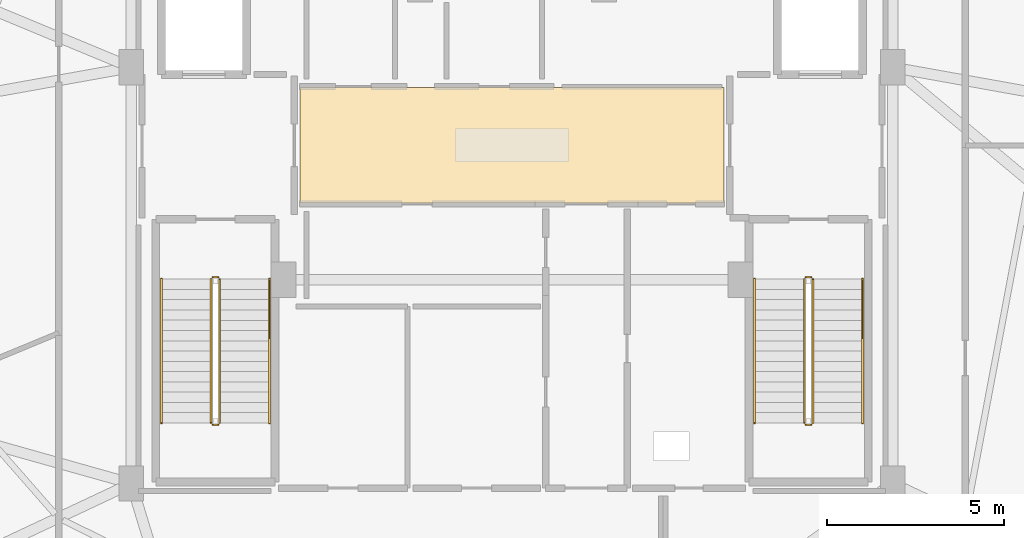
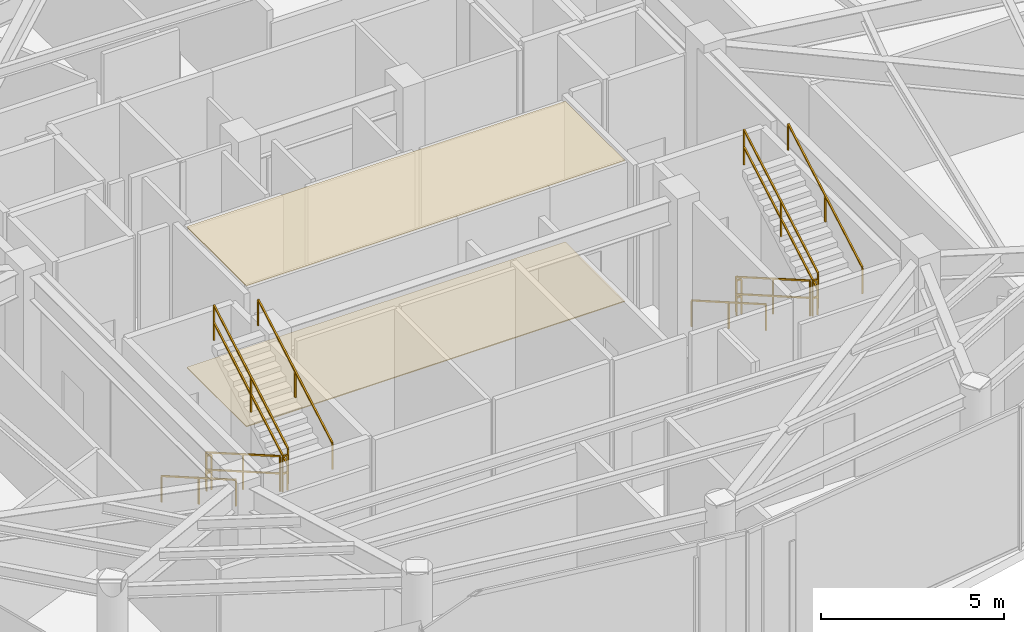
# One storey, part 23 of 24: 12 railings, 2 coverings.
"""IFC4 building model written with IfcOpenShell, lengths in metres."""

from ifc_helpers import new_model, si_unit, direction, frame, origin, origin_2d, place, context, subcontext, project, spatial, polyline, rectangle, outline, extrude, material, layer, layer_set, type_object, element, save


model = new_model("IFC4")

# Units and contexts
model_context = context("Model", 3, precision=1e-05, world=origin(), true_north=direction((0.0, 1.0)))
body_context = subcontext(model_context, "Body", "Model", "MODEL_VIEW")
ifc_project = project(units=[si_unit("LENGTHUNIT", "METRE"), si_unit("AREAUNIT", "SQUARE_METRE"), si_unit("VOLUMEUNIT", "CUBIC_METRE"), si_unit("PLANEANGLEUNIT", "RADIAN"), si_unit("MASSUNIT", "GRAM", prefix="KILO")], contexts=[model_context])

# Site, building, storey
site_placement = place(None, origin())
site = spatial("IfcSite", under=ifc_project, at=site_placement, CompositionType="ELEMENT")
building_placement = place(site_placement, origin())
building = spatial("IfcBuilding", under=site, at=building_placement, Name="Vorneva Point Tower", CompositionType="ELEMENT")
storey_placement = place(building_placement, frame((0.0, 0.0, 290.39990234375)))
storey = spatial("IfcBuildingStorey", under=building, at=storey_placement, Name="L78", CompositionType="ELEMENT", Elevation=290.39990234375)

# Coverings
ifc_material_1 = material(Name="Perforated acoustic aluminium baffle ceiling", Category="aluminium")
ifc_layer_1 = layer(ifc_material_1, 0.030029296875)
ifc_layer_set_1 = layer_set([ifc_layer_1], Name="Perforated acoustic aluminium baffle ceiling")
covering_type_1 = type_object("IfcCoveringType", Name="COV-CEIL-BAF", PredefinedType="CEILING", material=ifc_layer_set_1)
covering_1_placement = place(storey_placement, frame((0.0, 0.0, 4.690185546875)))
element("IfcCovering", 1, at=covering_1_placement, inside=storey, type_object=covering_type_1, Name="L78 Lift Lobby Acoustic Baffle Ceiling", PredefinedType="CEILING", context=body_context, shape_type="SweptSolid", body=[
    extrude(outline(polyline([(32.02001953125, 24.3701171875), (43.97998046875, 24.3701171875), (43.97998046875, 27.6298828125), (32.02001953125, 27.6298828125), (32.02001953125, 24.3701171875)])), origin(), (0.0, 0.0, 1.0), 0.034912109375),
])
ifc_material_2 = material(Name="Polished Ural granite terrazzo", Category="masonry")
ifc_layer_2 = layer(ifc_material_2, 0.02490234375)
ifc_layer_set_2 = layer_set([ifc_layer_2], Name="Polished Ural granite terrazzo")
covering_type_2 = type_object("IfcCoveringType", Name="COV-FLR-TRZ", PredefinedType="FLOORING", material=ifc_layer_set_2)
covering_2_placement = place(storey_placement, frame((0.0, 0.0, -0.0048828125)))
element("IfcCovering", 2, at=covering_2_placement, inside=storey, type_object=covering_type_2, Name="L78 Lift Lobby Floor Finish", PredefinedType="FLOORING", context=body_context, shape_type="SweptSolid", body=[
    extrude(outline(polyline([(32.02001953125, 24.3701171875), (43.97998046875, 24.3701171875), (43.97998046875, 27.6298828125), (32.02001953125, 27.6298828125), (32.02001953125, 24.3701171875)])), origin(), (0.0, 0.0, 1.0), 0.030029296875),
])

# Railings
ifc_material_3 = material(Name="Brushed stainless steel S304", Category="steel")
railing_type_1 = type_object("IfcRailingType", Name="RL-HND-920", PredefinedType="HANDRAIL", material=ifc_material_3)
railing_1_placement = place(storey_placement, frame((28.10009765625, 22.219970703125, 0.166748046875)))
element("IfcRailing", 3, at=railing_1_placement, inside=storey, type_object=railing_type_1, Name="L78 ST1 stair handrail 1", PredefinedType="HANDRAIL", context=body_context, shape_type="SweptSolid", body=[
    extrude(rectangle(XDim=0.048095703125, YDim=0.048095703125, at=origin_2d()), frame((0.0, 0.0, 0.8759765625), z_axis=(0.0, -0.867024558463, 0.498265406207), x_axis=(1.0, 0.0, 0.0)), (0.0, 0.0, 1.0), 4.682861328125),
    extrude(rectangle(XDim=0.0419921875, YDim=0.0419921875, at=origin_2d()), origin(), (0.0, 0.0, 1.0), 0.851806640625),
    extrude(rectangle(XDim=0.0419921875, YDim=0.0419921875, at=origin_2d()), frame((0.0, -2.030029296875, 1.16650390625)), (0.0, 0.0, 1.0), 0.851806640625),
    extrude(rectangle(XDim=0.0419921875, YDim=0.0419921875, at=origin_2d()), frame((0.0, -4.06005859375, 2.333251953125)), (0.0, 0.0, 1.0), 0.851806640625),
])
railing_2_placement = place(storey_placement, frame((31.14990234375, 18.159912109375, 2.666748046875)))
element("IfcRailing", 4, at=railing_2_placement, inside=storey, type_object=railing_type_1, Name="L78 ST1 stair handrail 2", PredefinedType="HANDRAIL", context=body_context, shape_type="SweptSolid", body=[
    extrude(rectangle(XDim=0.048095703125, YDim=0.048095703125, at=origin_2d()), frame((0.0, 0.0, 0.8759765625), z_axis=(0.0, 0.867024558463, 0.498265406207), x_axis=(-1.0, 0.0, 0.0)), (0.0, 0.0, 1.0), 4.682861328125),
    extrude(rectangle(XDim=0.0419921875, YDim=0.0419921875, at=origin_2d()), origin(), (0.0, 0.0, 1.0), 0.851806640625),
    extrude(rectangle(XDim=0.0419921875, YDim=0.0419921875, at=origin_2d()), frame((0.0, 2.030029296875, 1.16650390625)), (0.0, 0.0, 1.0), 0.851806640625),
    extrude(rectangle(XDim=0.0419921875, YDim=0.0419921875, at=origin_2d()), frame((0.0, 4.06005859375, 2.333251953125)), (0.0, 0.0, 1.0), 0.851806640625),
])
railing_3_placement = place(storey_placement, frame((44.85009765625, 22.219970703125, 0.166748046875)))
element("IfcRailing", 5, at=railing_3_placement, inside=storey, type_object=railing_type_1, Name="L78 ST2 stair handrail 1", PredefinedType="HANDRAIL", context=body_context, shape_type="SweptSolid", body=[
    extrude(rectangle(XDim=0.048095703125, YDim=0.048095703125, at=origin_2d()), frame((0.0, 0.0, 0.8759765625), z_axis=(0.0, -0.867024558463, 0.498265406207), x_axis=(1.0, 0.0, 0.0)), (0.0, 0.0, 1.0), 4.682861328125),
    extrude(rectangle(XDim=0.0419921875, YDim=0.0419921875, at=origin_2d()), origin(), (0.0, 0.0, 1.0), 0.851806640625),
    extrude(rectangle(XDim=0.0419921875, YDim=0.0419921875, at=origin_2d()), frame((0.0, -2.030029296875, 1.16650390625)), (0.0, 0.0, 1.0), 0.851806640625),
    extrude(rectangle(XDim=0.0419921875, YDim=0.0419921875, at=origin_2d()), frame((0.0, -4.06005859375, 2.333251953125)), (0.0, 0.0, 1.0), 0.851806640625),
])
railing_4_placement = place(storey_placement, frame((47.89990234375, 18.159912109375, 2.666748046875)))
element("IfcRailing", 6, at=railing_4_placement, inside=storey, type_object=railing_type_1, Name="L78 ST2 stair handrail 2", PredefinedType="HANDRAIL", context=body_context, shape_type="SweptSolid", body=[
    extrude(rectangle(XDim=0.048095703125, YDim=0.048095703125, at=origin_2d()), frame((0.0, 0.0, 0.8759765625), z_axis=(0.0, 0.867024558463, 0.498265406207), x_axis=(-1.0, 0.0, 0.0)), (0.0, 0.0, 1.0), 4.682861328125),
    extrude(rectangle(XDim=0.0419921875, YDim=0.0419921875, at=origin_2d()), origin(), (0.0, 0.0, 1.0), 0.851806640625),
    extrude(rectangle(XDim=0.0419921875, YDim=0.0419921875, at=origin_2d()), frame((0.0, 2.030029296875, 1.16650390625)), (0.0, 0.0, 1.0), 0.851806640625),
    extrude(rectangle(XDim=0.0419921875, YDim=0.0419921875, at=origin_2d()), frame((0.0, 4.06005859375, 2.333251953125)), (0.0, 0.0, 1.0), 0.851806640625),
])
railing_type_2 = type_object("IfcRailingType", Name="RL-STG-1100", PredefinedType="GUARDRAIL", material=ifc_material_3)
railing_5_placement = place(storey_placement, frame((29.5, 22.219970703125, 0.166748046875)))
element("IfcRailing", 7, at=railing_5_placement, inside=storey, type_object=railing_type_2, Name="L78 ST1 stair guard 1", PredefinedType="GUARDRAIL", context=body_context, shape_type="SweptSolid", body=[
    extrude(rectangle(XDim=0.048095703125, YDim=0.048095703125, at=origin_2d()), frame((0.0, 0.0, 1.17578125), z_axis=(0.0, -0.867024558463, 0.498265406207), x_axis=(1.0, 0.0, 0.0)), (0.0, 0.0, 1.0), 4.682861328125),
    extrude(rectangle(XDim=0.048095703125, YDim=0.048095703125, at=origin_2d()), frame((0.0, 0.0, 0.60009765625), z_axis=(0.0, -0.867024558463, 0.498265406207), x_axis=(1.0, 0.0, 0.0)), (0.0, 0.0, 1.0), 4.682861328125),
    extrude(rectangle(XDim=0.0419921875, YDim=0.0419921875, at=origin_2d()), origin(), (0.0, 0.0, 1.0), 1.15185546875),
    extrude(rectangle(XDim=0.0419921875, YDim=0.0419921875, at=origin_2d()), frame((0.0, -2.030029296875, 1.16650390625)), (0.0, 0.0, 1.0), 1.15185546875),
    extrude(rectangle(XDim=0.0419921875, YDim=0.0419921875, at=origin_2d()), frame((0.0, -4.06005859375, 2.333251953125)), (0.0, 0.0, 1.0), 1.15185546875),
])
railing_6_placement = place(storey_placement, frame((29.550048828125, 18.110107421875, 2.5)))
element("IfcRailing", 8, at=railing_6_placement, inside=storey, type_object=railing_type_2, Name="L78 ST1 stair guard 2", PredefinedType="GUARDRAIL", context=body_context, shape_type="SweptSolid", body=[
    extrude(rectangle(XDim=0.048095703125, YDim=0.048095703125, at=origin_2d()), frame((0.0, 0.0, 1.17578125), z_axis=(1.0, 0.0, 0.0), x_axis=(0.0, 1.0, 0.0)), (0.0, 0.0, 1.0), 0.14990234375),
    extrude(rectangle(XDim=0.048095703125, YDim=0.048095703125, at=origin_2d()), frame((0.0, 0.0, 0.60009765625), z_axis=(1.0, 0.0, 0.0), x_axis=(0.0, 1.0, 0.0)), (0.0, 0.0, 1.0), 0.14990234375),
    extrude(rectangle(XDim=0.0419921875, YDim=0.0419921875, at=origin_2d()), origin(), (0.0, 0.0, 1.0), 1.15185546875),
    extrude(rectangle(XDim=0.0419921875, YDim=0.0419921875, at=origin_2d()), frame((0.14990234375, 0.0, 0.0)), (0.0, 0.0, 1.0), 1.15185546875),
])
railing_7_placement = place(storey_placement, frame((29.75, 18.159912109375, 2.666748046875)))
element("IfcRailing", 9, at=railing_7_placement, inside=storey, type_object=railing_type_2, Name="L78 ST1 stair guard 3", PredefinedType="GUARDRAIL", context=body_context, shape_type="SweptSolid", body=[
    extrude(rectangle(XDim=0.048095703125, YDim=0.048095703125, at=origin_2d()), frame((0.0, 0.0, 1.17578125), z_axis=(0.0, 0.867024558463, 0.498265406207), x_axis=(-1.0, 0.0, 0.0)), (0.0, 0.0, 1.0), 4.682861328125),
    extrude(rectangle(XDim=0.048095703125, YDim=0.048095703125, at=origin_2d()), frame((0.0, 0.0, 0.60009765625), z_axis=(0.0, 0.867024558463, 0.498265406207), x_axis=(-1.0, 0.0, 0.0)), (0.0, 0.0, 1.0), 4.682861328125),
    extrude(rectangle(XDim=0.0419921875, YDim=0.0419921875, at=origin_2d()), origin(), (0.0, 0.0, 1.0), 1.15185546875),
    extrude(rectangle(XDim=0.0419921875, YDim=0.0419921875, at=origin_2d()), frame((0.0, 2.030029296875, 1.16650390625)), (0.0, 0.0, 1.0), 1.15185546875),
    extrude(rectangle(XDim=0.0419921875, YDim=0.0419921875, at=origin_2d()), frame((0.0, 4.06005859375, 2.333251953125)), (0.0, 0.0, 1.0), 1.15185546875),
])
railing_8_placement = place(storey_placement, frame((29.550048828125, 22.27001953125, 0.0)))
element("IfcRailing", 10, at=railing_8_placement, inside=storey, type_object=railing_type_2, Name="L78 ST1 stair guard 4", PredefinedType="GUARDRAIL", context=body_context, shape_type="SweptSolid", body=[
    extrude(rectangle(XDim=0.048095703125, YDim=0.048095703125, at=origin_2d()), frame((0.0, 0.0, 1.17578125), z_axis=(1.0, 0.0, 0.0), x_axis=(0.0, 1.0, 0.0)), (0.0, 0.0, 1.0), 0.14990234375),
    extrude(rectangle(XDim=0.048095703125, YDim=0.048095703125, at=origin_2d()), frame((0.0, 0.0, 0.60009765625), z_axis=(1.0, 0.0, 0.0), x_axis=(0.0, 1.0, 0.0)), (0.0, 0.0, 1.0), 0.14990234375),
    extrude(rectangle(XDim=0.0419921875, YDim=0.0419921875, at=origin_2d()), origin(), (0.0, 0.0, 1.0), 1.15185546875),
    extrude(rectangle(XDim=0.0419921875, YDim=0.0419921875, at=origin_2d()), frame((0.14990234375, 0.0, 0.0)), (0.0, 0.0, 1.0), 1.15185546875),
])
railing_9_placement = place(storey_placement, frame((46.25, 22.219970703125, 0.166748046875)))
element("IfcRailing", 11, at=railing_9_placement, inside=storey, type_object=railing_type_2, Name="L78 ST2 stair guard 1", PredefinedType="GUARDRAIL", context=body_context, shape_type="SweptSolid", body=[
    extrude(rectangle(XDim=0.048095703125, YDim=0.048095703125, at=origin_2d()), frame((0.0, 0.0, 1.17578125), z_axis=(0.0, -0.867024558463, 0.498265406207), x_axis=(1.0, 0.0, 0.0)), (0.0, 0.0, 1.0), 4.682861328125),
    extrude(rectangle(XDim=0.048095703125, YDim=0.048095703125, at=origin_2d()), frame((0.0, 0.0, 0.60009765625), z_axis=(0.0, -0.867024558463, 0.498265406207), x_axis=(1.0, 0.0, 0.0)), (0.0, 0.0, 1.0), 4.682861328125),
    extrude(rectangle(XDim=0.0419921875, YDim=0.0419921875, at=origin_2d()), origin(), (0.0, 0.0, 1.0), 1.15185546875),
    extrude(rectangle(XDim=0.0419921875, YDim=0.0419921875, at=origin_2d()), frame((0.0, -2.030029296875, 1.16650390625)), (0.0, 0.0, 1.0), 1.15185546875),
    extrude(rectangle(XDim=0.0419921875, YDim=0.0419921875, at=origin_2d()), frame((0.0, -4.06005859375, 2.333251953125)), (0.0, 0.0, 1.0), 1.15185546875),
])
railing_10_placement = place(storey_placement, frame((46.300048828125, 18.110107421875, 2.5)))
element("IfcRailing", 12, at=railing_10_placement, inside=storey, type_object=railing_type_2, Name="L78 ST2 stair guard 2", PredefinedType="GUARDRAIL", context=body_context, shape_type="SweptSolid", body=[
    extrude(rectangle(XDim=0.048095703125, YDim=0.048095703125, at=origin_2d()), frame((0.0, 0.0, 1.17578125), z_axis=(1.0, 0.0, 0.0), x_axis=(0.0, 1.0, 0.0)), (0.0, 0.0, 1.0), 0.14990234375),
    extrude(rectangle(XDim=0.048095703125, YDim=0.048095703125, at=origin_2d()), frame((0.0, 0.0, 0.60009765625), z_axis=(1.0, 0.0, 0.0), x_axis=(0.0, 1.0, 0.0)), (0.0, 0.0, 1.0), 0.14990234375),
    extrude(rectangle(XDim=0.0419921875, YDim=0.0419921875, at=origin_2d()), origin(), (0.0, 0.0, 1.0), 1.15185546875),
    extrude(rectangle(XDim=0.0419921875, YDim=0.0419921875, at=origin_2d()), frame((0.14990234375, 0.0, 0.0)), (0.0, 0.0, 1.0), 1.15185546875),
])
railing_11_placement = place(storey_placement, frame((46.5, 18.159912109375, 2.666748046875)))
element("IfcRailing", 13, at=railing_11_placement, inside=storey, type_object=railing_type_2, Name="L78 ST2 stair guard 3", PredefinedType="GUARDRAIL", context=body_context, shape_type="SweptSolid", body=[
    extrude(rectangle(XDim=0.048095703125, YDim=0.048095703125, at=origin_2d()), frame((0.0, 0.0, 1.17578125), z_axis=(0.0, 0.867024558463, 0.498265406207), x_axis=(-1.0, 0.0, 0.0)), (0.0, 0.0, 1.0), 4.682861328125),
    extrude(rectangle(XDim=0.048095703125, YDim=0.048095703125, at=origin_2d()), frame((0.0, 0.0, 0.60009765625), z_axis=(0.0, 0.867024558463, 0.498265406207), x_axis=(-1.0, 0.0, 0.0)), (0.0, 0.0, 1.0), 4.682861328125),
    extrude(rectangle(XDim=0.0419921875, YDim=0.0419921875, at=origin_2d()), origin(), (0.0, 0.0, 1.0), 1.15185546875),
    extrude(rectangle(XDim=0.0419921875, YDim=0.0419921875, at=origin_2d()), frame((0.0, 2.030029296875, 1.16650390625)), (0.0, 0.0, 1.0), 1.15185546875),
    extrude(rectangle(XDim=0.0419921875, YDim=0.0419921875, at=origin_2d()), frame((0.0, 4.06005859375, 2.333251953125)), (0.0, 0.0, 1.0), 1.15185546875),
])
railing_12_placement = place(storey_placement, frame((46.300048828125, 22.27001953125, 0.0)))
element("IfcRailing", 14, at=railing_12_placement, inside=storey, type_object=railing_type_2, Name="L78 ST2 stair guard 4", PredefinedType="GUARDRAIL", context=body_context, shape_type="SweptSolid", body=[
    extrude(rectangle(XDim=0.048095703125, YDim=0.048095703125, at=origin_2d()), frame((0.0, 0.0, 1.17578125), z_axis=(1.0, 0.0, 0.0), x_axis=(0.0, 1.0, 0.0)), (0.0, 0.0, 1.0), 0.14990234375),
    extrude(rectangle(XDim=0.048095703125, YDim=0.048095703125, at=origin_2d()), frame((0.0, 0.0, 0.60009765625), z_axis=(1.0, 0.0, 0.0), x_axis=(0.0, 1.0, 0.0)), (0.0, 0.0, 1.0), 0.14990234375),
    extrude(rectangle(XDim=0.0419921875, YDim=0.0419921875, at=origin_2d()), origin(), (0.0, 0.0, 1.0), 1.15185546875),
    extrude(rectangle(XDim=0.0419921875, YDim=0.0419921875, at=origin_2d()), frame((0.14990234375, 0.0, 0.0)), (0.0, 0.0, 1.0), 1.15185546875),
])

save(model, "model.ifc")
